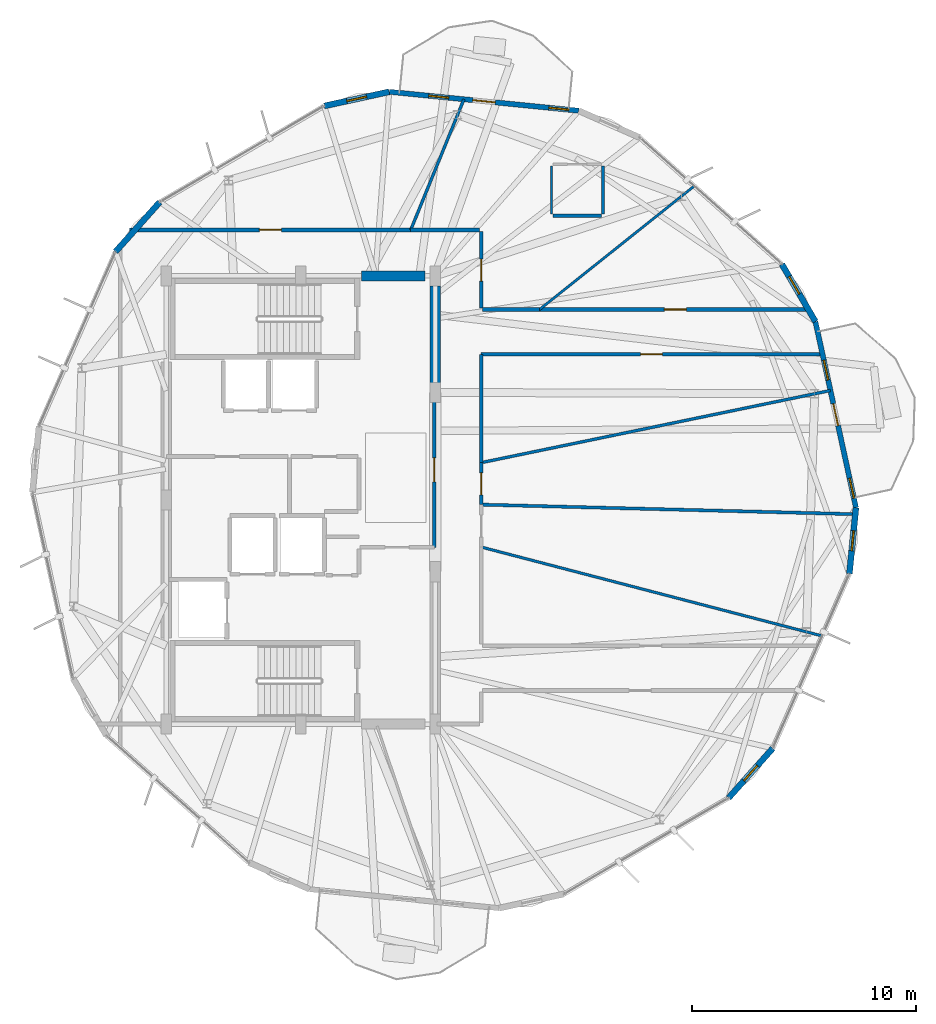
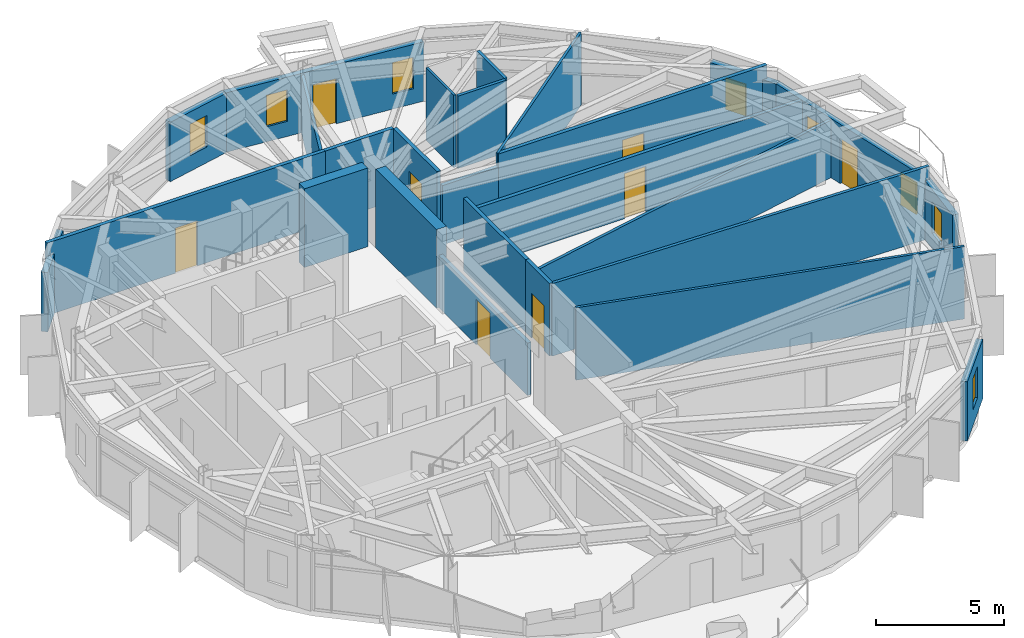
# One storey, part 21 of 25: 26 walls, 8 doors, 8 windows, 16 openings.
"""IFC4 building model written with IfcOpenShell, lengths in metres."""

from ifc_helpers import new_model, si_unit, direction, frame, frame_2d, origin, place, context, subcontext, project, spatial, rectangle, extrude, material, layer, layer_set, type_object, element, fill, save


model = new_model("IFC4")

# Units and contexts
model_context = context("Model", 3, precision=1e-05, world=origin(), true_north=direction((0.0, 1.0)))
body_context = subcontext(model_context, "Body", "Model", "MODEL_VIEW")
ifc_project = project(units=[si_unit("LENGTHUNIT", "METRE"), si_unit("AREAUNIT", "SQUARE_METRE"), si_unit("VOLUMEUNIT", "CUBIC_METRE"), si_unit("PLANEANGLEUNIT", "RADIAN"), si_unit("MASSUNIT", "GRAM", prefix="KILO")], contexts=[model_context])

# Site, building, storey
site_placement = place(None, origin())
site = spatial("IfcSite", under=ifc_project, at=site_placement, CompositionType="ELEMENT")
building_placement = place(site_placement, origin())
building = spatial("IfcBuilding", under=site, at=building_placement, Name="Soratama Intermodal Tower", CompositionType="ELEMENT")
storey_placement = place(building_placement, frame((0.0, 0.0, 276.25)))
storey = spatial("IfcBuildingStorey", under=building, at=storey_placement, Name="L70", CompositionType="ELEMENT", Elevation=276.25)

# Wall, openings, door, windows
ifc_material_1 = material(Name="Concrete f'c 42 MPa", Category="concrete")
ifc_layer_1 = layer(ifc_material_1, 0.22998046875)
ifc_layer_set_1 = layer_set([ifc_layer_1], Name="Concrete f'c 42 MPa")
wall_type_1 = type_object("IfcWallType", Name="EW-BAL-230", PredefinedType="SOLIDWALL", material=ifc_layer_set_1)
wall_1_placement = place(storey_placement, frame((51.004638671875, 42.369384765625, 0.0), z_axis=(0.0, 0.0, 1.0), x_axis=(-0.995055090482, 0.099324553384, 0.0)))
wall_1 = element("IfcWall", 1, at=wall_1_placement, inside=storey, type_object=wall_type_1, Name="L70 Terrace Wall F01", PredefinedType="SOLIDWALL", context=body_context, shape_type="SweptSolid", body=[
    extrude(rectangle(XDim=8.499755859375, YDim=0.22998046875, at=frame_2d((4.25, 0.0))), origin(), (0.0, 0.0, 1.0), 2.8291015625),
])
opening_1_placement = place(wall_1_placement, frame((3.75, 0.0, 0.0)))
opening_1 = element("IfcOpeningElement", 2, at=opening_1_placement, cuts=wall_1, Name="Opening ED-2", PredefinedType="OPENING", context=body_context, shape_type="SweptSolid", body=[
    extrude(rectangle(XDim=1.0, YDim=2.14990234375, at=frame_2d((0.5, 1.074951171875))), frame((0.0, 0.125, 0.0), z_axis=(0.0, -1.0, 0.0), x_axis=(1.0, 0.0, 0.0)), (0.0, 0.0, 1.0), 0.25),
])
opening_2_placement = place(wall_1_placement, frame((0.43994140625, 0.0, 0.719970703125)))
opening_2 = element("IfcOpeningElement", 3, at=opening_2_placement, cuts=wall_1, Name="Opening WN-6", PredefinedType="OPENING", context=body_context, shape_type="SweptSolid", body=[
    extrude(rectangle(XDim=0.89990234375, YDim=1.5, at=frame_2d((0.449951171875, 0.75))), frame((0.0, 0.125, 0.0), z_axis=(0.0, -1.0, 0.0), x_axis=(1.0, 0.0, 0.0)), (0.0, 0.0, 1.0), 0.25),
])
opening_3_placement = place(wall_1_placement, frame((5.83251953125, 0.0, 0.719970703125)))
opening_3 = element("IfcOpeningElement", 4, at=opening_3_placement, cuts=wall_1, Name="Opening WN-6", PredefinedType="OPENING", context=body_context, shape_type="SweptSolid", body=[
    extrude(rectangle(XDim=0.89990234375, YDim=1.5, at=frame_2d((0.449951171875, 0.75))), frame((0.0, 0.125, 0.0), z_axis=(0.0, -1.0, 0.0), x_axis=(1.0, 0.0, 0.0)), (0.0, 0.0, 1.0), 0.25),
])
ifc_material_2 = material(Name="Double-glazed aluminium door", Category="aluminium")
door_type_1 = type_object("IfcDoorType", Name="DR-BAL-1000", OperationType="NOTDEFINED", PredefinedType="DOOR", material=ifc_material_2)
door_1_placement = place(opening_1_placement, origin())
door_1 = element("IfcDoor", 5, at=door_1_placement, inside=storey, type_object=door_type_1, Name="L70 Balcony Door F01", OperationType="SINGLE_SWING_LEFT", OverallHeight=2.14990234375, OverallWidth=1.0, PredefinedType="DOOR", context=body_context, shape_type="SweptSolid", body=[
    extrude(rectangle(XDim=1.0, YDim=2.14990234375, at=frame_2d((0.5, 1.074951171875))), frame((0.0, 0.02490234375, 0.0), z_axis=(0.0, -1.0, 0.0), x_axis=(1.0, 0.0, 0.0)), (0.0, 0.0, 1.0), 0.050048828125),
])
fill(opening_1, door_1)
ifc_material_3 = material(Name="Double-glazed aluminium window", Category="aluminium")
window_type = type_object("IfcWindowType", Name="WN-FAC-900", PartitioningType="SINGLE_PANEL", PredefinedType="WINDOW", material=ifc_material_3)
window_1_placement = place(opening_2_placement, origin())
window_1 = element("IfcWindow", 6, at=window_1_placement, inside=storey, type_object=window_type, Name="L70 Window A F01", OverallHeight=1.5, OverallWidth=0.89990234375, PartitioningType="SINGLE_PANEL", PredefinedType="WINDOW", context=body_context, shape_type="SweptSolid", body=[
    extrude(rectangle(XDim=0.89990234375, YDim=1.5, at=frame_2d((0.449951171875, 0.75))), frame((0.0, 0.030029296875, 0.0), z_axis=(0.0, -1.0, 0.0), x_axis=(1.0, 0.0, 0.0)), (0.0, 0.0, 1.0), 0.06005859375),
])
fill(opening_2, window_1)
window_2_placement = place(opening_3_placement, origin())
window_2 = element("IfcWindow", 7, at=window_2_placement, inside=storey, type_object=window_type, Name="L70 Window B F01", OverallHeight=1.5, OverallWidth=0.89990234375, PartitioningType="SINGLE_PANEL", PredefinedType="WINDOW", context=body_context, shape_type="SweptSolid", body=[
    extrude(rectangle(XDim=0.89990234375, YDim=1.5, at=frame_2d((0.449951171875, 0.75))), frame((0.0, 0.030029296875, 0.0), z_axis=(0.0, -1.0, 0.0), x_axis=(1.0, 0.0, 0.0)), (0.0, 0.0, 1.0), 0.06005859375),
])
fill(opening_3, window_2)

wall_2_placement = place(storey_placement, frame((63.374755859375, 24.656494140625, 0.0), z_axis=(0.0, 0.0, 1.0), x_axis=(-0.213011537402, 0.977049683964, 0.0)))
wall_2 = element("IfcWall", 8, at=wall_2_placement, inside=storey, type_object=wall_type_1, Name="L70 Terrace Wall F09", PredefinedType="SOLIDWALL", context=body_context, shape_type="SweptSolid", body=[
    extrude(rectangle(XDim=8.499755859375, YDim=0.22998046875, at=frame_2d((4.25, 0.0))), origin(), (0.0, 0.0, 1.0), 2.8291015625),
])
opening_4_placement = place(wall_2_placement, frame((3.75, 0.0, 0.0)))
opening_4 = element("IfcOpeningElement", 9, at=opening_4_placement, cuts=wall_2, Name="Opening ED-2", PredefinedType="OPENING", context=body_context, shape_type="SweptSolid", body=[
    extrude(rectangle(XDim=1.0, YDim=2.14990234375, at=frame_2d((0.5, 1.074951171875))), frame((0.0, 0.125, 0.0), z_axis=(0.0, -1.0, 0.0), x_axis=(1.0, 0.0, 0.0)), (0.0, 0.0, 1.0), 0.25),
])
opening_5_placement = place(wall_2_placement, frame((0.43994140625, 0.0, 0.719970703125)))
opening_5 = element("IfcOpeningElement", 10, at=opening_5_placement, cuts=wall_2, Name="Opening WN-6", PredefinedType="OPENING", context=body_context, shape_type="SweptSolid", body=[
    extrude(rectangle(XDim=0.89990234375, YDim=1.5, at=frame_2d((0.449951171875, 0.75))), frame((0.0, 0.125, 0.0), z_axis=(0.0, -1.0, 0.0), x_axis=(1.0, 0.0, 0.0)), (0.0, 0.0, 1.0), 0.25),
])
opening_6_placement = place(wall_2_placement, frame((5.83251953125, 0.0, 0.719970703125)))
opening_6 = element("IfcOpeningElement", 11, at=opening_6_placement, cuts=wall_2, Name="Opening WN-6", PredefinedType="OPENING", context=body_context, shape_type="SweptSolid", body=[
    extrude(rectangle(XDim=0.89990234375, YDim=1.5, at=frame_2d((0.449951171875, 0.75))), frame((0.0, 0.125, 0.0), z_axis=(0.0, -1.0, 0.0), x_axis=(1.0, 0.0, 0.0)), (0.0, 0.0, 1.0), 0.25),
])
door_2_placement = place(opening_4_placement, origin())
door_2 = element("IfcDoor", 12, at=door_2_placement, inside=storey, type_object=door_type_1, Name="L70 Balcony Door F09", OperationType="SINGLE_SWING_LEFT", OverallHeight=2.14990234375, OverallWidth=1.0, PredefinedType="DOOR", context=body_context, shape_type="SweptSolid", body=[
    extrude(rectangle(XDim=1.0, YDim=2.14990234375, at=frame_2d((0.5, 1.074951171875))), frame((0.0, 0.02490234375, 0.0), z_axis=(0.0, -1.0, 0.0), x_axis=(1.0, 0.0, 0.0)), (0.0, 0.0, 1.0), 0.050048828125),
])
fill(opening_4, door_2)
window_3_placement = place(opening_5_placement, origin())
window_3 = element("IfcWindow", 13, at=window_3_placement, inside=storey, type_object=window_type, Name="L70 Window A F09", OverallHeight=1.5, OverallWidth=0.89990234375, PartitioningType="SINGLE_PANEL", PredefinedType="WINDOW", context=body_context, shape_type="SweptSolid", body=[
    extrude(rectangle(XDim=0.89990234375, YDim=1.5, at=frame_2d((0.449951171875, 0.75))), frame((0.0, 0.030029296875, 0.0), z_axis=(0.0, -1.0, 0.0), x_axis=(1.0, 0.0, 0.0)), (0.0, 0.0, 1.0), 0.06005859375),
])
fill(opening_5, window_3)
window_4_placement = place(opening_6_placement, origin())
window_4 = element("IfcWindow", 14, at=window_4_placement, inside=storey, type_object=window_type, Name="L70 Window B F09", OverallHeight=1.5, OverallWidth=0.89990234375, PartitioningType="SINGLE_PANEL", PredefinedType="WINDOW", context=body_context, shape_type="SweptSolid", body=[
    extrude(rectangle(XDim=0.89990234375, YDim=1.5, at=frame_2d((0.449951171875, 0.75))), frame((0.0, 0.030029296875, 0.0), z_axis=(0.0, -1.0, 0.0), x_axis=(1.0, 0.0, 0.0)), (0.0, 0.0, 1.0), 0.06005859375),
])
fill(opening_6, window_4)

# Wall, opening, window
ifc_material_4 = material(Name="Concrete f'c 42 MPa", Category="concrete")
ifc_layer_2 = layer(ifc_material_4, 0.27001953125)
ifc_layer_set_2 = layer_set([ifc_layer_2], Name="Concrete f'c 42 MPa")
wall_type_2 = type_object("IfcWallType", Name="EW-CRN-270", PredefinedType="SOLIDWALL", material=ifc_layer_set_2)
wall_3_placement = place(storey_placement, frame((42.546875, 43.213623046875, 0.0), z_axis=(0.0, 0.0, 1.0), x_axis=(-0.977037259255, -0.21306851956, 0.0)))
wall_3 = element("IfcWall", 15, at=wall_3_placement, inside=storey, type_object=wall_type_2, Name="L70 Corner Closure Wall 01", PredefinedType="SOLIDWALL", context=body_context, shape_type="SweptSolid", body=[
    extrude(rectangle(XDim=2.966552734375, YDim=0.27001953125, at=frame_2d((1.4833984375, 0.0))), origin(), (0.0, 0.0, 1.0), 2.8291015625),
])
opening_7_placement = place(wall_3_placement, frame((1.033203125, 0.0, 0.75)))
opening_7 = element("IfcOpeningElement", 16, at=opening_7_placement, cuts=wall_3, Name="Opening WN-6", PredefinedType="OPENING", context=body_context, shape_type="SweptSolid", body=[
    extrude(rectangle(XDim=0.89990234375, YDim=1.5, at=frame_2d((0.449951171875, 0.75))), frame((0.0, 0.14501953125, 0.0), z_axis=(0.0, -1.0, 0.0), x_axis=(1.0, 0.0, 0.0)), (0.0, 0.0, 1.0), 0.2900390625),
])
window_5_placement = place(opening_7_placement, origin())
window_5 = element("IfcWindow", 17, at=window_5_placement, inside=storey, type_object=window_type, Name="L70 Corner Window 01", OverallHeight=1.5, OverallWidth=0.89990234375, PartitioningType="SINGLE_PANEL", PredefinedType="WINDOW", context=body_context, shape_type="SweptSolid", body=[
    extrude(rectangle(XDim=0.89990234375, YDim=1.5, at=frame_2d((0.449951171875, 0.75))), frame((0.0, 0.030029296875, 0.0), z_axis=(0.0, -1.0, 0.0), x_axis=(1.0, 0.0, 0.0)), (0.0, 0.0, 1.0), 0.06005859375),
])
fill(opening_7, window_5)

# Wall
wall_4_placement = place(storey_placement, frame((32.309814453125, 38.293212890625, 0.0), z_axis=(0.0, 0.0, 1.0), x_axis=(-0.665241909174, -0.746627887424, 0.0)))
element("IfcWall", 18, at=wall_4_placement, inside=storey, type_object=wall_type_2, Name="L70 Corner Closure Wall 02", PredefinedType="SOLIDWALL", context=body_context, shape_type="SweptSolid", body=[
    extrude(rectangle(XDim=2.966796875, YDim=0.27001953125, at=frame_2d((1.4833984375, 0.0))), origin(), (0.0, 0.0, 1.0), 2.8291015625),
])

# Wall, opening, window
wall_5_placement = place(storey_placement, frame((57.690185546875, 11.706787109375, 0.0), z_axis=(0.0, 0.0, 1.0), x_axis=(0.665241909174, 0.746627887424, 0.0)))
wall_5 = element("IfcWall", 19, at=wall_5_placement, inside=storey, type_object=wall_type_2, Name="L70 Corner Closure Wall 07", PredefinedType="SOLIDWALL", context=body_context, shape_type="SweptSolid", body=[
    extrude(rectangle(XDim=2.966796875, YDim=0.27001953125, at=frame_2d((1.4833984375, 0.0))), origin(), (0.0, 0.0, 1.0), 2.8291015625),
])
opening_8_placement = place(wall_5_placement, frame((1.033203125, 0.0, 0.75)))
opening_8 = element("IfcOpeningElement", 20, at=opening_8_placement, cuts=wall_5, Name="Opening WN-6", PredefinedType="OPENING", context=body_context, shape_type="SweptSolid", body=[
    extrude(rectangle(XDim=0.89990234375, YDim=1.5, at=frame_2d((0.449951171875, 0.75))), frame((0.0, 0.14501953125, 0.0), z_axis=(0.0, -1.0, 0.0), x_axis=(1.0, 0.0, 0.0)), (0.0, 0.0, 1.0), 0.2900390625),
])
window_6_placement = place(opening_8_placement, origin())
window_6 = element("IfcWindow", 21, at=window_6_placement, inside=storey, type_object=window_type, Name="L70 Corner Window 07", OverallHeight=1.5, OverallWidth=0.89990234375, PartitioningType="SINGLE_PANEL", PredefinedType="WINDOW", context=body_context, shape_type="SweptSolid", body=[
    extrude(rectangle(XDim=0.89990234375, YDim=1.5, at=frame_2d((0.449951171875, 0.75))), frame((0.0, 0.030029296875, 0.0), z_axis=(0.0, -1.0, 0.0), x_axis=(1.0, 0.0, 0.0)), (0.0, 0.0, 1.0), 0.06005859375),
])
fill(opening_8, window_6)

wall_6_placement = place(storey_placement, frame((63.080078125, 21.70458984375, 0.0), z_axis=(0.0, 0.0, 1.0), x_axis=(0.099332604759, 0.995054286776, 0.0)))
wall_6 = element("IfcWall", 22, at=wall_6_placement, inside=storey, type_object=wall_type_2, Name="L70 Corner Closure Wall 08", PredefinedType="SOLIDWALL", context=body_context, shape_type="SweptSolid", body=[
    extrude(rectangle(XDim=2.966552734375, YDim=0.27001953125, at=frame_2d((1.4833984375, 0.0))), origin(), (0.0, 0.0, 1.0), 2.8291015625),
])
opening_9_placement = place(wall_6_placement, frame((1.033203125, 0.0, 0.75)))
opening_9 = element("IfcOpeningElement", 23, at=opening_9_placement, cuts=wall_6, Name="Opening WN-6", PredefinedType="OPENING", context=body_context, shape_type="SweptSolid", body=[
    extrude(rectangle(XDim=0.89990234375, YDim=1.5, at=frame_2d((0.449951171875, 0.75))), frame((0.0, 0.14501953125, 0.0), z_axis=(0.0, -1.0, 0.0), x_axis=(1.0, 0.0, 0.0)), (0.0, 0.0, 1.0), 0.2900390625),
])
window_7_placement = place(opening_9_placement, origin())
window_7 = element("IfcWindow", 24, at=window_7_placement, inside=storey, type_object=window_type, Name="L70 Corner Window 08", OverallHeight=1.5, OverallWidth=0.89990234375, PartitioningType="SINGLE_PANEL", PredefinedType="WINDOW", context=body_context, shape_type="SweptSolid", body=[
    extrude(rectangle(XDim=0.89990234375, YDim=1.5, at=frame_2d((0.449951171875, 0.75))), frame((0.0, 0.030029296875, 0.0), z_axis=(0.0, -1.0, 0.0), x_axis=(1.0, 0.0, 0.0)), (0.0, 0.0, 1.0), 0.06005859375),
])
fill(opening_9, window_7)

wall_7_placement = place(storey_placement, frame((61.564208984375, 32.961181640625, 0.0), z_axis=(0.0, 0.0, 1.0), x_axis=(-0.504525797249, 0.863396617963, 0.0)))
wall_7 = element("IfcWall", 25, at=wall_7_placement, inside=storey, type_object=wall_type_2, Name="L70 Corner Closure Wall 09", PredefinedType="SOLIDWALL", context=body_context, shape_type="SweptSolid", body=[
    extrude(rectangle(XDim=2.966796875, YDim=0.27001953125, at=frame_2d((1.4833984375, 0.0))), origin(), (0.0, 0.0, 1.0), 2.8291015625),
])
opening_10_placement = place(wall_7_placement, frame((1.422119140625, 0.0, 0.75)))
opening_10 = element("IfcOpeningElement", 26, at=opening_10_placement, cuts=wall_7, Name="Opening WN-6", PredefinedType="OPENING", context=body_context, shape_type="SweptSolid", body=[
    extrude(rectangle(XDim=0.89990234375, YDim=1.5, at=frame_2d((0.449951171875, 0.75))), frame((0.0, 0.14501953125, 0.0), z_axis=(0.0, -1.0, 0.0), x_axis=(1.0, 0.0, 0.0)), (0.0, 0.0, 1.0), 0.2900390625),
])
window_8_placement = place(opening_10_placement, origin())
window_8 = element("IfcWindow", 27, at=window_8_placement, inside=storey, type_object=window_type, Name="L70 Corner Window 09", OverallHeight=1.5, OverallWidth=0.89990234375, PartitioningType="SINGLE_PANEL", PredefinedType="WINDOW", context=body_context, shape_type="SweptSolid", body=[
    extrude(rectangle(XDim=0.89990234375, YDim=1.5, at=frame_2d((0.449951171875, 0.75))), frame((0.0, 0.030029296875, 0.0), z_axis=(0.0, -1.0, 0.0), x_axis=(1.0, 0.0, 0.0)), (0.0, 0.0, 1.0), 0.06005859375),
])
fill(opening_10, window_8)

# Wall, opening, door
ifc_material_5 = material(Name="Fire-rated gypsum stud partition", Category="concrete")
ifc_layer_3 = layer(ifc_material_5, 0.169921875)
ifc_layer_set_3 = layer_set([ifc_layer_3], Name="Fire-rated gypsum stud partition")
wall_type_3 = type_object("IfcWallType", Name="IW-PART-R170", PredefinedType="PARTITIONING", material=ifc_layer_set_3)
wall_8_placement = place(storey_placement, frame((61.883056640625, 31.5, 0.0), z_axis=(0.0, 0.0, 1.0), x_axis=(-1.0, 0.0, 0.0)))
wall_8 = element("IfcWall", 28, at=wall_8_placement, inside=storey, type_object=wall_type_3, Name="L70 Partition W-L70-TP005", PredefinedType="PARTITIONING", context=body_context, shape_type="SweptSolid", body=[
    extrude(rectangle(XDim=15.233154296875, YDim=0.169921875, at=frame_2d((7.61669921875, 0.0))), origin(), (0.0, 0.0, 1.0), 2.823974609375),
])
opening_11_placement = place(wall_8_placement, frame((7.14208984375, 0.0, 0.0)))
opening_11 = element("IfcOpeningElement", 29, at=opening_11_placement, cuts=wall_8, Name="Opening ID-5", PredefinedType="OPENING", context=body_context, shape_type="SweptSolid", body=[
    extrude(rectangle(XDim=0.97998046875, YDim=2.14990234375, at=frame_2d((0.489990234375, 1.074951171875))), frame((0.0, 0.094970703125, 0.0), z_axis=(0.0, -1.0, 0.0), x_axis=(1.0, 0.0, 0.0)), (0.0, 0.0, 1.0), 0.18994140625),
])
ifc_material_6 = material(Name="Solid hardwood acoustic door", Category="wood")
door_type_2 = type_object("IfcDoorType", Name="DR-OFF-980", OperationType="NOTDEFINED", PredefinedType="DOOR", material=ifc_material_6)
door_3_placement = place(opening_11_placement, origin())
door_3 = element("IfcDoor", 30, at=door_3_placement, inside=storey, type_object=door_type_2, Name="L70 Door D-L70-TP002", OperationType="SINGLE_SWING_LEFT", OverallHeight=2.14990234375, OverallWidth=0.97998046875, PredefinedType="DOOR", context=body_context, shape_type="SweptSolid", body=[
    extrude(rectangle(XDim=0.97998046875, YDim=2.14990234375, at=frame_2d((0.489990234375, 1.074951171875))), frame((0.0, 0.02490234375, 0.0), z_axis=(0.0, -1.0, 0.0), x_axis=(1.0, 0.0, 0.0)), (0.0, 0.0, 1.0), 0.050048828125),
])
fill(opening_11, door_3)

wall_9_placement = place(storey_placement, frame((30.9599609375, 37.050048828125, 0.0), z_axis=(0.0, 0.0, 1.0), x_axis=(1.0, 0.0, 0.0)))
wall_9 = element("IfcWall", 31, at=wall_9_placement, inside=storey, type_object=wall_type_3, Name="L70 Partition W-L70-TP008", PredefinedType="PARTITIONING", context=body_context, shape_type="SweptSolid", body=[
    extrude(rectangle(XDim=12.547119140625, YDim=0.169921875, at=frame_2d((6.2734375, 0.0))), origin(), (0.0, 0.0, 1.0), 3.449951171875),
])
opening_12_placement = place(wall_9_placement, frame((5.798095703125, 0.0, 0.0)))
opening_12 = element("IfcOpeningElement", 32, at=opening_12_placement, cuts=wall_9, Name="Opening ID-5", PredefinedType="OPENING", context=body_context, shape_type="SweptSolid", body=[
    extrude(rectangle(XDim=0.97998046875, YDim=2.14990234375, at=frame_2d((0.489990234375, 1.074951171875))), frame((0.0, 0.094970703125, 0.0), z_axis=(0.0, -1.0, 0.0), x_axis=(1.0, 0.0, 0.0)), (0.0, 0.0, 1.0), 0.18994140625),
])
door_4_placement = place(opening_12_placement, origin())
door_4 = element("IfcDoor", 33, at=door_4_placement, inside=storey, type_object=door_type_2, Name="L70 Door D-L70-TP005", OperationType="SINGLE_SWING_RIGHT", OverallHeight=2.14990234375, OverallWidth=0.97998046875, PredefinedType="DOOR", context=body_context, shape_type="SweptSolid", body=[
    extrude(rectangle(XDim=0.97998046875, YDim=2.14990234375, at=frame_2d((0.489990234375, 1.074951171875))), frame((0.0, 0.02490234375, 0.0), z_axis=(0.0, -1.0, 0.0), x_axis=(1.0, 0.0, 0.0)), (0.0, 0.0, 1.0), 0.050048828125),
])
fill(opening_12, door_4)

wall_10_placement = place(storey_placement, frame((49.25390625, 33.5, 0.0), z_axis=(0.0, 0.0, 1.0), x_axis=(1.0, 0.0, 0.0)))
wall_10 = element("IfcWall", 34, at=wall_10_placement, inside=storey, type_object=wall_type_3, Name="L70 Partition W-L70-TP009", PredefinedType="PARTITIONING", context=body_context, shape_type="SweptSolid", body=[
    extrude(rectangle(XDim=12.10009765625, YDim=0.169921875, at=frame_2d((6.050048828125, 0.0))), origin(), (0.0, 0.0, 1.0), 3.449951171875),
])
opening_13_placement = place(wall_10_placement, frame((5.574951171875, 0.0, 0.0)))
opening_13 = element("IfcOpeningElement", 35, at=opening_13_placement, cuts=wall_10, Name="Opening ID-5", PredefinedType="OPENING", context=body_context, shape_type="SweptSolid", body=[
    extrude(rectangle(XDim=0.97998046875, YDim=2.14990234375, at=frame_2d((0.489990234375, 1.074951171875))), frame((0.0, 0.094970703125, 0.0), z_axis=(0.0, -1.0, 0.0), x_axis=(1.0, 0.0, 0.0)), (0.0, 0.0, 1.0), 0.18994140625),
])
door_5_placement = place(opening_13_placement, origin())
door_5 = element("IfcDoor", 36, at=door_5_placement, inside=storey, type_object=door_type_2, Name="L70 Door D-L70-TP006", OperationType="SINGLE_SWING_LEFT", OverallHeight=2.14990234375, OverallWidth=0.97998046875, PredefinedType="DOOR", context=body_context, shape_type="SweptSolid", body=[
    extrude(rectangle(XDim=0.97998046875, YDim=2.14990234375, at=frame_2d((0.489990234375, 1.074951171875))), frame((0.0, 0.02490234375, 0.0), z_axis=(0.0, -1.0, 0.0), x_axis=(1.0, 0.0, 0.0)), (0.0, 0.0, 1.0), 0.050048828125),
])
fill(opening_13, door_5)

wall_11_placement = place(storey_placement, frame((44.56005859375, 29.800048828125, 0.0), z_axis=(0.0, 0.0, 1.0), x_axis=(0.0, -1.0, 0.0)))
wall_11 = element("IfcWall", 37, at=wall_11_placement, inside=storey, type_object=wall_type_3, Name="L70 Partition W-L70-TP012", PredefinedType="PARTITIONING", context=body_context, shape_type="SweptSolid", body=[
    extrude(rectangle(XDim=6.91015625, YDim=0.169921875, at=frame_2d((3.455078125, 0.0))), origin(), (0.0, 0.0, 1.0), 2.489990234375),
])
opening_14_placement = place(wall_11_placement, frame((2.9150390625, 0.0, 0.0)))
opening_14 = element("IfcOpeningElement", 38, at=opening_14_placement, cuts=wall_11, Name="Opening ID-1", PredefinedType="OPENING", context=body_context, shape_type="SweptSolid", body=[
    extrude(rectangle(XDim=1.080078125, YDim=2.14990234375, at=frame_2d((0.5400390625, 1.074951171875))), frame((0.0, 0.094970703125, 0.0), z_axis=(0.0, -1.0, 0.0), x_axis=(1.0, 0.0, 0.0)), (0.0, 0.0, 1.0), 0.18994140625),
])
ifc_material_7 = material(Name="Solid hardwood acoustic door", Category="wood")
door_type_3 = type_object("IfcDoorType", Name="DR-LOB-FD60", OperationType="NOTDEFINED", PredefinedType="DOOR", material=ifc_material_7)
door_6_placement = place(opening_14_placement, origin())
door_6 = element("IfcDoor", 39, at=door_6_placement, inside=storey, type_object=door_type_3, Name="L70 Door D-L70-TP007", OperationType="SINGLE_SWING_RIGHT", OverallHeight=2.14990234375, OverallWidth=1.080078125, PredefinedType="DOOR", context=body_context, shape_type="SweptSolid", body=[
    extrude(rectangle(XDim=1.080078125, YDim=2.14990234375, at=frame_2d((0.5400390625, 1.074951171875))), frame((0.0, 0.02490234375, 0.0), z_axis=(0.0, -1.0, 0.0), x_axis=(1.0, 0.0, 0.0)), (0.0, 0.0, 1.0), 0.050048828125),
])
fill(opening_14, door_6)

# Wall
wall_12_placement = place(storey_placement, frame((46.64990234375, 31.5, 0.0), z_axis=(0.0, 0.0, 1.0), x_axis=(0.0, -1.0, 0.0)))
element("IfcWall", 40, at=wall_12_placement, inside=storey, type_object=wall_type_3, Name="L70 Partition W-L70-TP015", PredefinedType="PARTITIONING", context=body_context, shape_type="SweptSolid", body=[
    extrude(rectangle(XDim=4.8349609375, YDim=0.169921875, at=frame_2d((2.41748046875, 0.0))), origin(), (0.0, 0.0, 1.0), 3.449951171875),
])

# Wall, opening, door
wall_13_placement = place(storey_placement, frame((46.64990234375, 36.97998046875, 0.0), z_axis=(0.0, 0.0, 1.0), x_axis=(0.0, -1.0, 0.0)))
wall_13 = element("IfcWall", 41, at=wall_13_placement, inside=storey, type_object=wall_type_3, Name="L70 Partition W-L70-TP017", PredefinedType="PARTITIONING", context=body_context, shape_type="SweptSolid", body=[
    extrude(rectangle(XDim=3.409912109375, YDim=0.169921875, at=frame_2d((1.705078125, 0.0))), origin(), (0.0, 0.0, 1.0), 3.449951171875),
])
opening_15_placement = place(wall_13_placement, frame((1.22998046875, 0.0, 0.0)))
opening_15 = element("IfcOpeningElement", 42, at=opening_15_placement, cuts=wall_13, Name="Opening ID-5", PredefinedType="OPENING", context=body_context, shape_type="SweptSolid", body=[
    extrude(rectangle(XDim=0.97998046875, YDim=2.14990234375, at=frame_2d((0.489990234375, 1.074951171875))), frame((0.0, 0.094970703125, 0.0), z_axis=(0.0, -1.0, 0.0), x_axis=(1.0, 0.0, 0.0)), (0.0, 0.0, 1.0), 0.18994140625),
])
door_7_placement = place(opening_15_placement, origin())
door_7 = element("IfcDoor", 43, at=door_7_placement, inside=storey, type_object=door_type_2, Name="L70 Door D-L70-TP009", OperationType="SINGLE_SWING_RIGHT", OverallHeight=2.14990234375, OverallWidth=0.97998046875, PredefinedType="DOOR", context=body_context, shape_type="SweptSolid", body=[
    extrude(rectangle(XDim=0.97998046875, YDim=2.14990234375, at=frame_2d((0.489990234375, 1.074951171875))), frame((0.0, 0.02490234375, 0.0), z_axis=(0.0, -1.0, 0.0), x_axis=(1.0, 0.0, 0.0)), (0.0, 0.0, 1.0), 0.050048828125),
])
fill(opening_15, door_7)

# Walls
wall_14_placement = place(storey_placement, frame((43.507080078125, 37.050048828125, 0.0), z_axis=(0.0, 0.0, 1.0), x_axis=(1.0, 0.0, 0.0)))
element("IfcWall", 44, at=wall_14_placement, inside=storey, type_object=wall_type_3, Name="L70 Partition W-L70-TP019", PredefinedType="PARTITIONING", context=body_context, shape_type="SweptSolid", body=[
    extrude(rectangle(XDim=3.072998046875, YDim=0.169921875, at=frame_2d((1.53662109375, 0.0))), origin(), (0.0, 0.0, 1.0), 3.449951171875),
])
wall_15_placement = place(storey_placement, frame((46.719970703125, 33.5, 0.0), z_axis=(0.0, 0.0, 1.0), x_axis=(1.0, 0.0, 0.0)))
element("IfcWall", 45, at=wall_15_placement, inside=storey, type_object=wall_type_3, Name="L70 Partition W-L70-TP023", PredefinedType="PARTITIONING", context=body_context, shape_type="SweptSolid", body=[
    extrude(rectangle(XDim=2.533935546875, YDim=0.169921875, at=frame_2d((1.26708984375, 0.0))), origin(), (0.0, 0.0, 1.0), 2.827880859375),
])

# Wall, opening, door
wall_16_placement = place(storey_placement, frame((46.64990234375, 26.6650390625, 0.0), z_axis=(0.0, 0.0, 1.0), x_axis=(0.0, -1.0, 0.0)))
wall_16 = element("IfcWall", 46, at=wall_16_placement, inside=storey, type_object=wall_type_3, Name="L70 Partition W-L70-TP031", PredefinedType="PARTITIONING", context=body_context, shape_type="SweptSolid", body=[
    extrude(rectangle(XDim=1.87109375, YDim=0.169921875, at=frame_2d((0.935546875, 0.0))), origin(), (0.0, 0.0, 1.0), 3.449951171875),
])
opening_16_placement = place(wall_16_placement, frame((0.4599609375, 0.0, 0.0)))
opening_16 = element("IfcOpeningElement", 47, at=opening_16_placement, cuts=wall_16, Name="Opening ID-5", PredefinedType="OPENING", context=body_context, shape_type="SweptSolid", body=[
    extrude(rectangle(XDim=0.97998046875, YDim=2.14990234375, at=frame_2d((0.489990234375, 1.074951171875))), frame((0.0, 0.094970703125, 0.0), z_axis=(0.0, -1.0, 0.0), x_axis=(1.0, 0.0, 0.0)), (0.0, 0.0, 1.0), 0.18994140625),
])
door_8_placement = place(opening_16_placement, origin())
door_8 = element("IfcDoor", 48, at=door_8_placement, inside=storey, type_object=door_type_2, Name="L70 Door D-L70-TP014", OperationType="SINGLE_SWING_LEFT", OverallHeight=2.14990234375, OverallWidth=0.97998046875, PredefinedType="DOOR", context=body_context, shape_type="SweptSolid", body=[
    extrude(rectangle(XDim=0.97998046875, YDim=2.14990234375, at=frame_2d((0.489990234375, 1.074951171875))), frame((0.0, 0.02490234375, 0.0), z_axis=(0.0, -1.0, 0.0), x_axis=(1.0, 0.0, 0.0)), (0.0, 0.0, 1.0), 0.050048828125),
])
fill(opening_16, door_8)

# Walls
ifc_material_8 = material(Name="Fire-rated gypsum stud partition", Category="concrete")
ifc_layer_4 = layer(ifc_material_8, 0.10009765625)
ifc_layer_set_4 = layer_set([ifc_layer_4], Name="Fire-rated gypsum stud partition")
wall_type_4 = type_object("IfcWallType", Name="IW-PART-S100", PredefinedType="PARTITIONING", material=ifc_layer_set_4)
wall_17_placement = place(storey_placement, frame((49.782958984375, 39.912109375, 0.0), z_axis=(0.0, 0.0, 1.0), x_axis=(0.0, -1.0, 0.0)))
element("IfcWall", 49, at=wall_17_placement, inside=storey, type_object=wall_type_4, Name="L70 Partition W-L70-TP026", PredefinedType="PARTITIONING", context=body_context, shape_type="SweptSolid", body=[
    extrude(rectangle(XDim=2.16015625, YDim=0.10009765625, at=frame_2d((1.080078125, 0.0))), origin(), (0.0, 0.0, 1.0), 3.449951171875),
])
ifc_material_9 = material(Name="Fire-rated gypsum stud partition", Category="concrete")
ifc_layer_5 = layer(ifc_material_9, 0.110107421875)
ifc_layer_set_5 = layer_set([ifc_layer_5], Name="Fire-rated gypsum stud partition")
wall_type_5 = type_object("IfcWallType", Name="IW-PART-S110", PredefinedType="PARTITIONING", material=ifc_layer_set_5)
wall_18_placement = place(storey_placement, frame((49.25390625, 33.5, 0.0), z_axis=(0.0, 0.0, 1.0), x_axis=(0.781717725414, 0.623632422004, 0.0)))
element("IfcWall", 50, at=wall_18_placement, inside=storey, type_object=wall_type_5, Name="L70 Partition W-L70-TP010", PredefinedType="PARTITIONING", context=body_context, shape_type="SweptSolid", body=[
    extrude(rectangle(XDim=8.83056640625, YDim=0.110107421875, at=frame_2d((4.415283203125, 0.0))), origin(), (0.0, 0.0, 1.0), 3.449951171875),
])
ifc_material_10 = material(Name="Fire-rated gypsum stud partition", Category="concrete")
ifc_layer_6 = layer(ifc_material_10, 0.1201171875)
ifc_layer_set_6 = layer_set([ifc_layer_6], Name="Fire-rated gypsum stud partition")
wall_type_6 = type_object("IfcWallType", Name="IW-PART-S120", PredefinedType="PARTITIONING", material=ifc_layer_set_6)
wall_19_placement = place(storey_placement, frame((46.64990234375, 22.90087890625, 0.0), z_axis=(0.0, 0.0, 1.0), x_axis=(0.967649914042, -0.252296737702, 0.0)))
element("IfcWall", 51, at=wall_19_placement, inside=storey, type_object=wall_type_6, Name="L70 Partition W-L70-TP004", PredefinedType="PARTITIONING", context=body_context, shape_type="SweptSolid", body=[
    extrude(rectangle(XDim=15.72265625, YDim=0.1201171875, at=frame_2d((7.861328125, 0.0))), origin(), (0.0, 0.0, 1.0), 3.449951171875),
])
ifc_material_11 = material(Name="Fire-rated gypsum stud partition", Category="concrete")
ifc_layer_7 = layer(ifc_material_11, 0.1298828125)
ifc_layer_set_7 = layer_set([ifc_layer_7], Name="Fire-rated gypsum stud partition")
wall_type_7 = type_object("IfcWallType", Name="IW-PART-S130", PredefinedType="PARTITIONING", material=ifc_layer_set_7)
wall_20_placement = place(storey_placement, frame((46.64990234375, 26.6650390625, 0.0), z_axis=(0.0, 0.0, 1.0), x_axis=(0.979305001036, 0.202390007028, 0.0)))
element("IfcWall", 52, at=wall_20_placement, inside=storey, type_object=wall_type_7, Name="L70 Partition W-L70-TP003", PredefinedType="PARTITIONING", context=body_context, shape_type="SweptSolid", body=[
    extrude(rectangle(XDim=15.91455078125, YDim=0.1298828125, at=frame_2d((7.957275390625, 0.0))), origin(), (0.0, 0.0, 1.0), 2.7451171875),
])
wall_21_placement = place(storey_placement, frame((43.507080078125, 37.050048828125, 0.0), z_axis=(0.0, 0.0, 1.0), x_axis=(0.377213129566, 0.92612647888, 0.0)))
element("IfcWall", 53, at=wall_21_placement, inside=storey, type_object=wall_type_7, Name="L70 Partition W-L70-TP013", PredefinedType="PARTITIONING", context=body_context, shape_type="SweptSolid", body=[
    extrude(rectangle(XDim=6.296142578125, YDim=0.1298828125, at=frame_2d((3.14794921875, 0.0))), origin(), (0.0, 0.0, 1.0), 2.7451171875),
])
wall_22_placement = place(storey_placement, frame((52.0830078125, 37.751953125, 0.0), z_axis=(0.0, 0.0, 1.0), x_axis=(0.0, 1.0, 0.0)))
element("IfcWall", 54, at=wall_22_placement, inside=storey, type_object=wall_type_7, Name="L70 Partition W-L70-TP028", PredefinedType="PARTITIONING", context=body_context, shape_type="SweptSolid", body=[
    extrude(rectangle(XDim=2.16015625, YDim=0.1298828125, at=frame_2d((1.080078125, 0.0))), origin(), (0.0, 0.0, 1.0), 3.449951171875),
])
ifc_material_12 = material(Name="Fire-rated gypsum stud partition", Category="concrete")
ifc_layer_8 = layer(ifc_material_12, 0.139892578125)
ifc_layer_set_8 = layer_set([ifc_layer_8], Name="Fire-rated gypsum stud partition")
wall_type_8 = type_object("IfcWallType", Name="IW-PART-S140", PredefinedType="PARTITIONING", material=ifc_layer_set_8)
wall_23_placement = place(storey_placement, frame((63.39208984375, 24.364990234375, 0.0), z_axis=(0.0, 0.0, 1.0), x_axis=(-0.999671938343, 0.02561280325, 0.0)))
element("IfcWall", 55, at=wall_23_placement, inside=storey, type_object=wall_type_8, Name="L70 Partition W-L70-TP002", PredefinedType="PARTITIONING", context=body_context, shape_type="SweptSolid", body=[
    extrude(rectangle(XDim=16.747802734375, YDim=0.139892578125, at=frame_2d((8.3740234375, 0.0))), origin(), (0.0, 0.0, 1.0), 3.449951171875),
])
wall_24_placement = place(storey_placement, frame((49.85302734375, 37.681884765625, 0.0), z_axis=(0.0, 0.0, 1.0), x_axis=(1.0, 0.0, 0.0)))
element("IfcWall", 56, at=wall_24_placement, inside=storey, type_object=wall_type_8, Name="L70 Partition W-L70-TP027", PredefinedType="PARTITIONING", context=body_context, shape_type="SweptSolid", body=[
    extrude(rectangle(XDim=2.159912109375, YDim=0.139892578125, at=frame_2d((1.080078125, 0.0))), origin(), (0.0, 0.0, 1.0), 3.449951171875),
])
ifc_material_13 = material(Name="Concrete f'c 56 MPa", Category="concrete")
ifc_layer_9 = layer(ifc_material_13, 0.449951171875)
ifc_layer_set_9 = layer_set([ifc_layer_9], Name="Concrete f'c 56 MPa")
wall_type_9 = type_object("IfcWallType", Name="SW-CORE-450", PredefinedType="SHEAR", material=ifc_layer_set_9)
wall_25_placement = place(storey_placement, frame((41.300048828125, 35.0, 0.0), z_axis=(0.0, 0.0, 1.0), x_axis=(1.0, 0.0, 0.0)))
element("IfcWall", 57, at=wall_25_placement, inside=storey, type_object=wall_type_9, Name="L70 Core Shear Wall CW-NE", PredefinedType="SHEAR", context=body_context, shape_type="SweptSolid", body=[
    extrude(rectangle(XDim=2.849853515625, YDim=0.449951171875, at=frame_2d((1.4248046875, 0.0))), origin(), (0.0, 0.0, 1.0), 3.75),
])
wall_26_placement = place(storey_placement, frame((44.60009765625, 29.800048828125, 0.0), z_axis=(0.0, 0.0, 1.0), x_axis=(0.0, 1.0, 0.0)))
element("IfcWall", 58, at=wall_26_placement, inside=storey, type_object=wall_type_9, Name="L70 Core Shear Wall CW-EN", PredefinedType="SHEAR", context=body_context, shape_type="SweptSolid", body=[
    extrude(rectangle(XDim=4.75, YDim=0.449951171875, at=frame_2d((2.375, 0.0))), origin(), (0.0, 0.0, 1.0), 3.75),
])

save(model, "model.ifc")
